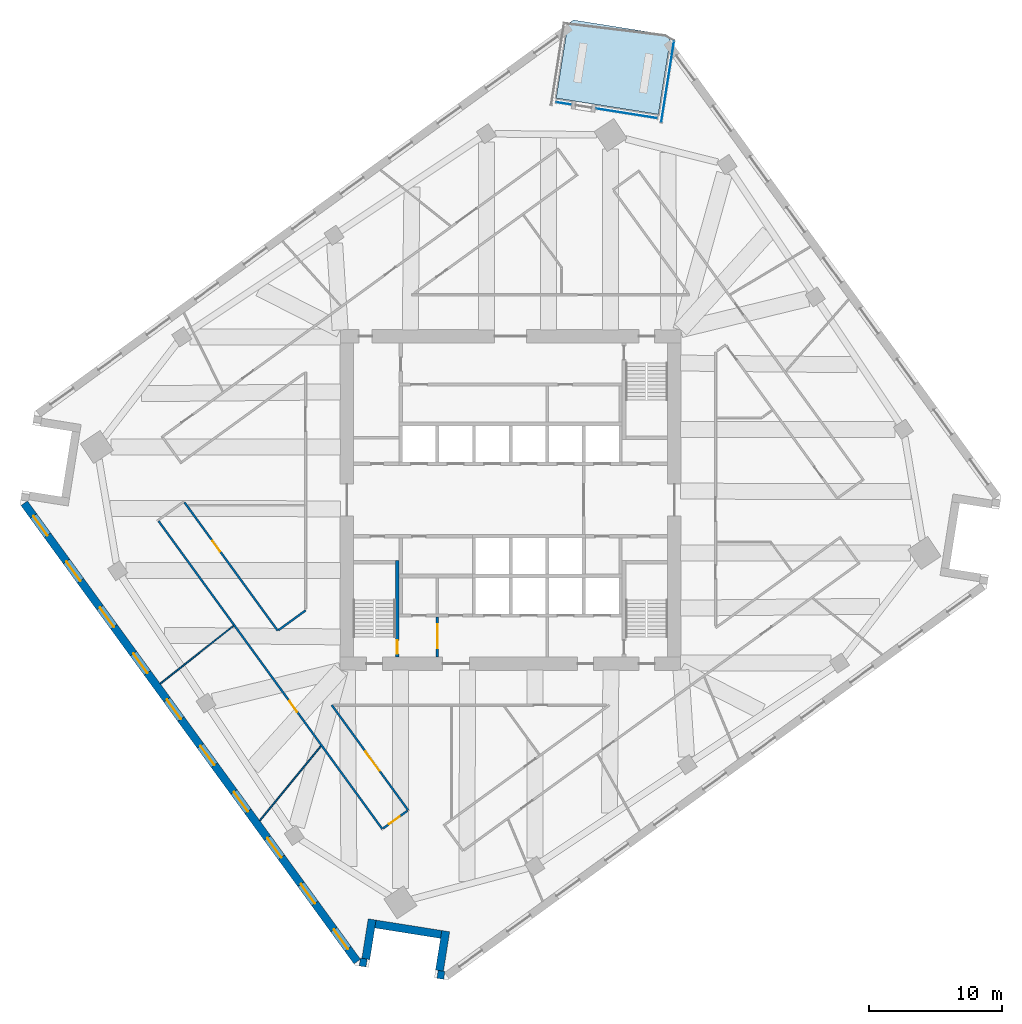
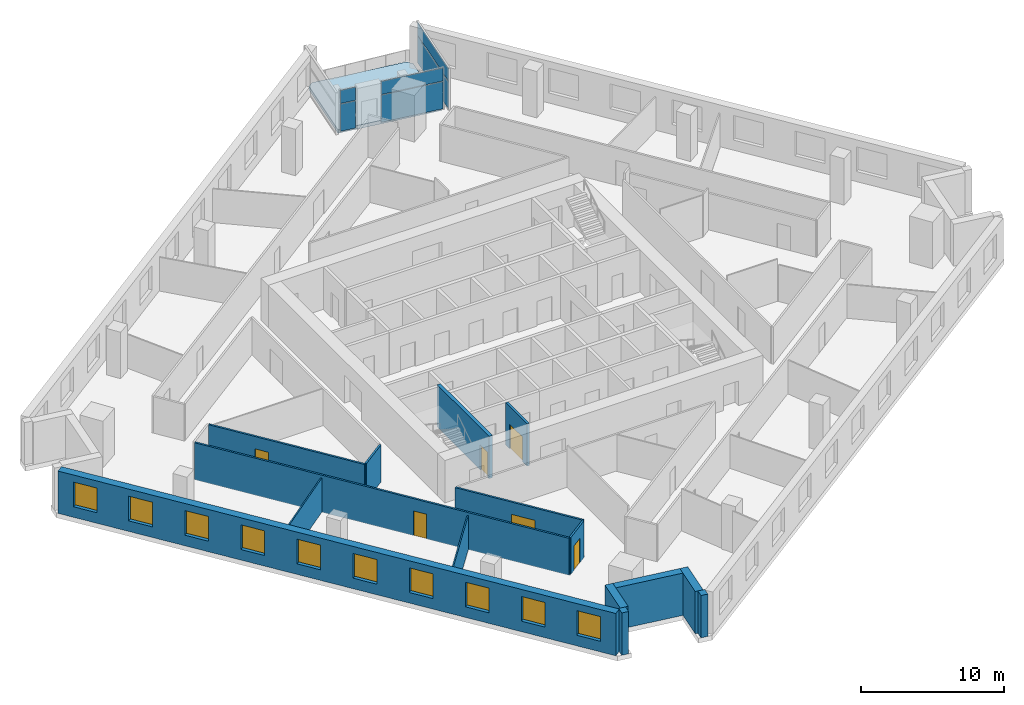
# One storey, part 4 of 11: 15 walls, 10 windows, 6 doors, 6 plates, 1 slab, 16 openings, 3 elements without a shape of their own.
"""IFC4 building model written with IfcOpenShell, lengths in metres."""

from ifc_helpers import new_model, si_unit, direction, frame, frame_2d, origin, origin_2d, place, context, subcontext, project, spatial, polyline, rectangle, outline, extrude, material, layer, layer_set, type_object, element, fill, aggregate, save


model = new_model("IFC4")

# Units and contexts
model_context = context("Model", 3, precision=1e-05, world=origin(), true_north=direction((0.0, 1.0)))
body_context = subcontext(model_context, "Body", "Model", "MODEL_VIEW")
ifc_project = project(units=[si_unit("LENGTHUNIT", "METRE"), si_unit("AREAUNIT", "SQUARE_METRE"), si_unit("VOLUMEUNIT", "CUBIC_METRE"), si_unit("PLANEANGLEUNIT", "RADIAN"), si_unit("MASSUNIT", "GRAM", prefix="KILO")], contexts=[model_context])

# Site, building, storey
site_placement = place(None, origin())
site = spatial("IfcSite", under=ifc_project, at=site_placement, CompositionType="ELEMENT")
building_placement = place(site_placement, origin())
building = spatial("IfcBuilding", under=site, at=building_placement, Name="Dilmun Exchange Tower", CompositionType="ELEMENT")
storey_placement = place(building_placement, frame((0.0, 0.0, 167.699951171875)))
storey = spatial("IfcBuildingStorey", under=building, at=storey_placement, Name="L39", CompositionType="ELEMENT", Elevation=167.699951171875)

# Curtain wall, plates
ifc_material_1 = material(Name="Anodised aluminium and clear glass", Category="aluminium")
curtain_wall_type = type_object("IfcCurtainWallType", Name="Garden corner glazing", PredefinedType="NOTDEFINED", material=ifc_material_1)
curtain_wall_1_placement = place(storey_placement, origin())
curtain_wall_1 = element("IfcCurtainWall", 1, at=curtain_wall_1_placement, inside=storey, type_object=curtain_wall_type, Name="Garden corner glazing run GC1.1", PredefinedType="NOTDEFINED")
ifc_material_2 = material(Name="Clear glass", Category="glass")
ifc_layer_1 = layer(ifc_material_2, 0.028076171875)
ifc_layer_set_1 = layer_set([ifc_layer_1], Name="Clear glass")
plate_type = type_object("IfcPlateType", Name="Garden corner glazing glass panel 28", PredefinedType="CURTAIN_PANEL", material=ifc_layer_set_1)
plate_1_placement = place(storey_placement, frame((11.79345703125, 31.410400390625, 0.06005859375), z_axis=(0.0, 0.0, 1.0), x_axis=(-0.15643936211, -0.987687564963, 0.0)))
plate_1 = element("IfcPlate", 2, at=plate_1_placement, type_object=plate_type, Name="GC1.1 panel 1.1", PredefinedType="CURTAIN_PANEL", context=body_context, shape_type="SweptSolid", body=[
    extrude(rectangle(XDim=6.12646484375, YDim=0.028076171875, at=origin_2d()), origin(), (0.0, 0.0, 1.0), 2.31005859375),
])
plate_2_placement = place(storey_placement, frame((11.79345703125, 31.410400390625, 2.43017578125), z_axis=(0.0, 0.0, 1.0), x_axis=(-0.15643936211, -0.987687564963, 0.0)))
plate_2 = element("IfcPlate", 3, at=plate_2_placement, type_object=plate_type, Name="GC1.1 panel 1.2", PredefinedType="CURTAIN_PANEL", context=body_context, shape_type="SweptSolid", body=[
    extrude(rectangle(XDim=6.12646484375, YDim=0.028076171875, at=origin_2d()), origin(), (0.0, 0.0, 1.0), 1.110107421875),
])
aggregate(curtain_wall_1, [plate_1, plate_2])

curtain_wall_2_placement = place(storey_placement, origin())
curtain_wall_2 = element("IfcCurtainWall", 4, at=curtain_wall_2_placement, inside=storey, type_object=curtain_wall_type, Name="Garden corner glazing run GC2.1", PredefinedType="NOTDEFINED")
plate_3_placement = place(storey_placement, frame((8.715087890625, 29.03955078125, 0.06005859375), z_axis=(0.0, 0.0, 1.0), x_axis=(-0.987690488636, 0.156420902238, 0.0)))
plate_3 = element("IfcPlate", 5, at=plate_3_placement, type_object=plate_type, Name="GC2.1 panel 1.1", PredefinedType="CURTAIN_PANEL", context=body_context, shape_type="SweptSolid", body=[
    extrude(rectangle(XDim=4.619140625, YDim=0.028076171875, at=origin_2d()), origin(), (0.0, 0.0, 1.0), 2.31005859375),
])
plate_4_placement = place(storey_placement, frame((8.715087890625, 29.03955078125, 2.43017578125), z_axis=(0.0, 0.0, 1.0), x_axis=(-0.987690488636, 0.156420902238, 0.0)))
plate_4 = element("IfcPlate", 6, at=plate_4_placement, type_object=plate_type, Name="GC2.1 panel 1.2", PredefinedType="CURTAIN_PANEL", context=body_context, shape_type="SweptSolid", body=[
    extrude(rectangle(XDim=4.619140625, YDim=0.028076171875, at=origin_2d()), origin(), (0.0, 0.0, 1.0), 1.110107421875),
])
aggregate(curtain_wall_2, [plate_3, plate_4])

curtain_wall_3_placement = place(storey_placement, origin())
curtain_wall_3 = element("IfcCurtainWall", 7, at=curtain_wall_3_placement, inside=storey, type_object=curtain_wall_type, Name="Garden corner glazing run GC2.3", PredefinedType="NOTDEFINED")
plate_5_placement = place(storey_placement, frame((3.985107421875, 29.78857421875, 0.06005859375), z_axis=(0.0, 0.0, 1.0), x_axis=(-0.987679719757, 0.156488885164, 0.0)))
plate_5 = element("IfcPlate", 8, at=plate_5_placement, type_object=plate_type, Name="GC2.3 panel 1.1", PredefinedType="CURTAIN_PANEL", context=body_context, shape_type="SweptSolid", body=[
    extrude(rectangle(XDim=1.119140625, YDim=0.028076171875, at=origin_2d()), origin(), (0.0, 0.0, 1.0), 2.31005859375),
])
plate_6_placement = place(storey_placement, frame((3.985107421875, 29.78857421875, 2.43017578125), z_axis=(0.0, 0.0, 1.0), x_axis=(-0.987679719757, 0.156488885164, 0.0)))
plate_6 = element("IfcPlate", 9, at=plate_6_placement, type_object=plate_type, Name="GC2.3 panel 1.2", PredefinedType="CURTAIN_PANEL", context=body_context, shape_type="SweptSolid", body=[
    extrude(rectangle(XDim=1.119140625, YDim=0.028076171875, at=origin_2d()), origin(), (0.0, 0.0, 1.0), 1.110107421875),
])
aggregate(curtain_wall_3, [plate_5, plate_6])

# Slab
ifc_material_3 = material(Name="Concrete C40/50", Category="concrete")
ifc_layer_2 = layer(ifc_material_3, 0.300048828125)
ifc_layer_set_2 = layer_set([ifc_layer_2], Name="Concrete C40/50")
slab_type = type_object("IfcSlabType", Name="RC garden terrace slab 300", PredefinedType="FLOOR", material=ifc_layer_set_2)
slab_placement = place(storey_placement, frame((0.0, 0.0, -0.300048828125)))
element("IfcSlab", 10, at=slab_placement, inside=storey, type_object=slab_type, Name="Garden terrace slab", PredefinedType="FLOOR", context=body_context, shape_type="SweptSolid", body=[
    extrude(outline(polyline([(3.420166015625, 30.181884765625), (4.303466796875, 35.7587890625), (4.7080078125, 36.052734375), (11.69189453125, 34.946533203125), (11.98583984375, 34.5419921875), (11.1025390625, 28.965087890625), (3.420166015625, 30.181884765625)])), origin(), (0.0, 0.0, 1.0), 0.300048828125),
])

# Wall, opening, door
ifc_layer_3 = layer(ifc_material_3, 0.199951171875)
ifc_layer_set_3 = layer_set([ifc_layer_3], Name="Concrete C40/50")
wall_type_1 = type_object("IfcWallType", Name="Core partition wall 200", PredefinedType="PARTITIONING", material=ifc_layer_set_3)
wall_1_placement = place(storey_placement, frame((-5.5, -11.794921875, 0.0), z_axis=(0.0, 0.0, 1.0), x_axis=(0.0, 1.0, 0.0)))
wall_1 = element("IfcWall", 11, at=wall_1_placement, inside=storey, type_object=wall_type_1, Name="L39 core partition wall 01", PredefinedType="PARTITIONING", context=body_context, shape_type="SweptSolid", body=[
    extrude(rectangle(XDim=2.989990234375, YDim=0.199951171875, at=frame_2d((1.4951171875, 0.0))), origin(), (0.0, 0.0, 1.0), 3.60009765625),
])
opening_1_placement = place(wall_1_placement, frame((0.657470703125, 0.0, 0.0)))
opening_1 = element("IfcOpeningElement", 12, at=opening_1_placement, cuts=wall_1, Name="Opening CD5", PredefinedType="OPENING", context=body_context, shape_type="SweptSolid", body=[
    extrude(rectangle(XDim=1.800048828125, YDim=2.10009765625, at=frame_2d((0.89990234375, 1.050048828125))), frame((0.0, 0.10986328125, 0.0), z_axis=(0.0, -1.0, 0.0), x_axis=(1.0, 0.0, 0.0)), (0.0, 0.0, 1.0), 0.219970703125),
])
ifc_material_4 = material(Name="Fire-rated steel door set", Category="steel")
door_type_1 = type_object("IfcDoorType", Name="Stair exit door 1800x2100", OperationType="SINGLE_SWING_LEFT", PredefinedType="DOOR", material=ifc_material_4)
door_1_placement = place(opening_1_placement, origin())
door_1 = element("IfcDoor", 13, at=door_1_placement, inside=storey, type_object=door_type_1, Name="L39 door Service lobby east", OperationType="SINGLE_SWING_LEFT", OverallHeight=2.10009765625, OverallWidth=1.800048828125, PredefinedType="DOOR", context=body_context, shape_type="SweptSolid", body=[
    extrude(rectangle(XDim=1.800048828125, YDim=2.10009765625, at=frame_2d((0.89990234375, 1.050048828125))), frame((0.0, 0.02490234375, 0.0), z_axis=(0.0, -1.0, 0.0), x_axis=(1.0, 0.0, 0.0)), (0.0, 0.0, 1.0), 0.050048828125),
])
fill(opening_1, door_1)

ifc_material_5 = material(Name="Corridor wall 150")
ifc_layer_4 = layer(ifc_material_5, 0.14990234375)
ifc_layer_set_4 = layer_set([ifc_layer_4], Name="Corridor wall 150")
wall_type_2 = type_object("IfcWallType", Name="Corridor wall 150", PredefinedType="PARTITIONING", material=ifc_layer_set_4)
wall_2_placement = place(storey_placement, frame((-26.43701171875, -1.588623046875, 0.0), z_axis=(0.0, 0.0, 1.0), x_axis=(0.587768879666, -0.809028889531, 0.0)))
wall_2 = element("IfcWall", 14, at=wall_2_placement, inside=storey, type_object=wall_type_2, Name="Corridor wall", PredefinedType="PARTITIONING", context=body_context, shape_type="SweptSolid", body=[
    extrude(rectangle(XDim=28.582763671875, YDim=0.14990234375, at=frame_2d((14.29150390625, 0.0))), origin(), (0.0, 0.0, 1.0), 3.150146484375),
])
opening_2_placement = place(wall_2_placement, frame((16.7109375, 0.0, 0.0)))
opening_2 = element("IfcOpeningElement", 15, at=opening_2_placement, cuts=wall_2, Name="Opening TF38-D03", PredefinedType="OPENING", context=body_context, shape_type="SweptSolid", body=[
    extrude(rectangle(XDim=1.0, YDim=2.10009765625, at=frame_2d((0.5, 1.050048828125))), frame((0.0, 0.0849609375, 0.0), z_axis=(0.0, -1.0, 0.0), x_axis=(1.0, 0.0, 0.0)), (0.0, 0.0, 1.0), 0.169921875),
])
ifc_material_6 = material(Name="Fire door 1000 x 2100")
door_type_2 = type_object("IfcDoorType", Name="Fire door 1000 x 2100", OperationType="NOTDEFINED", PredefinedType="DOOR", material=ifc_material_6)
door_2_placement = place(opening_2_placement, frame((1.0, 0.0, 0.0), z_axis=(0.0, 0.0, 1.0), x_axis=(-1.0, 0.0, 0.0)))
door_2 = element("IfcDoor", 16, at=door_2_placement, inside=storey, type_object=door_type_2, Name="Door TF38-D03", OperationType="SINGLE_SWING_LEFT", OverallHeight=2.10009765625, OverallWidth=1.0, PredefinedType="DOOR", context=body_context, shape_type="SweptSolid", body=[
    extrude(rectangle(XDim=1.0, YDim=2.10009765625, at=frame_2d((0.5, 1.050048828125))), frame((0.0, 0.02490234375, 0.0), z_axis=(0.0, -1.0, 0.0), x_axis=(1.0, 0.0, 0.0)), (0.0, 0.0, 1.0), 0.050048828125),
])
fill(opening_2, door_2)

wall_3_placement = place(storey_placement, frame((-24.494873046875, -0.1787109375, 0.0), z_axis=(0.0, 0.0, 1.0), x_axis=(0.587806096184, -0.809001849991, 0.0)))
wall_3 = element("IfcWall", 17, at=wall_3_placement, inside=storey, type_object=wall_type_2, Name="Corridor wall", PredefinedType="PARTITIONING", context=body_context, shape_type="SweptSolid", body=[
    extrude(rectangle(XDim=11.91357421875, YDim=0.14990234375, at=frame_2d((5.956787109375, 0.0))), origin(), (0.0, 0.0, 1.0), 3.150146484375),
])
opening_3_placement = place(wall_3_placement, frame((3.567626953125, 0.0, 0.0)))
opening_3 = element("IfcOpeningElement", 18, at=opening_3_placement, cuts=wall_3, Name="Opening TF38-D05", PredefinedType="OPENING", context=body_context, shape_type="SweptSolid", body=[
    extrude(rectangle(XDim=1.0, YDim=2.10009765625, at=frame_2d((0.5, 1.050048828125))), frame((0.0, 0.0849609375, 0.0), z_axis=(0.0, -1.0, 0.0), x_axis=(1.0, 0.0, 0.0)), (0.0, 0.0, 1.0), 0.169921875),
])
door_3_placement = place(opening_3_placement, origin())
door_3 = element("IfcDoor", 19, at=door_3_placement, inside=storey, type_object=door_type_2, Name="Door TF38-D05", OperationType="SINGLE_SWING_RIGHT", OverallHeight=2.10009765625, OverallWidth=1.0, PredefinedType="DOOR", context=body_context, shape_type="SweptSolid", body=[
    extrude(rectangle(XDim=1.0, YDim=2.10009765625, at=frame_2d((0.5, 1.050048828125))), frame((0.0, 0.02490234375, 0.0), z_axis=(0.0, -1.0, 0.0), x_axis=(1.0, 0.0, 0.0)), (0.0, 0.0, 1.0), 0.050048828125),
])
fill(opening_3, door_3)

# Wall
wall_4_placement = place(storey_placement, frame((-17.431396484375, -9.77294921875, 0.0), z_axis=(0.0, 0.0, 1.0), x_axis=(0.809042902641, 0.587749590971, 0.0)))
element("IfcWall", 20, at=wall_4_placement, inside=storey, type_object=wall_type_2, Name="Corridor wall", PredefinedType="PARTITIONING", context=body_context, shape_type="SweptSolid", body=[
    extrude(rectangle(XDim=2.510986328125, YDim=0.14990234375, at=frame_2d((1.25537109375, 0.0))), origin(), (0.0, 0.0, 1.0), 3.150146484375),
])

# Wall, opening, door
wall_5_placement = place(storey_placement, frame((-13.43603515625, -15.39990234375, 0.0), z_axis=(0.0, 0.0, 1.0), x_axis=(0.58776885963, -0.809028904088, 0.0)))
wall_5 = element("IfcWall", 21, at=wall_5_placement, inside=storey, type_object=wall_type_2, Name="Corridor wall", PredefinedType="PARTITIONING", context=body_context, shape_type="SweptSolid", body=[
    extrude(rectangle(XDim=9.767333984375, YDim=0.14990234375, at=frame_2d((4.8837890625, 0.0))), origin(), (0.0, 0.0, 1.0), 3.150146484375),
])
opening_4_placement = place(wall_5_placement, frame((4.300048828125, 0.0, 0.0)))
opening_4 = element("IfcOpeningElement", 22, at=opening_4_placement, cuts=wall_5, Name="Opening TF38-D07", PredefinedType="OPENING", context=body_context, shape_type="SweptSolid", body=[
    extrude(rectangle(XDim=1.800048828125, YDim=2.10009765625, at=frame_2d((0.89990234375, 1.050048828125))), frame((0.0, 0.0849609375, 0.0), z_axis=(0.0, -1.0, 0.0), x_axis=(1.0, 0.0, 0.0)), (0.0, 0.0, 1.0), 0.169921875),
])
ifc_material_7 = material(Name="Fire door pair 1800 x 2100")
door_type_3 = type_object("IfcDoorType", Name="Fire door pair 1800 x 2100", OperationType="NOTDEFINED", PredefinedType="DOOR", material=ifc_material_7)
door_4_placement = place(opening_4_placement, origin())
door_4 = element("IfcDoor", 23, at=door_4_placement, inside=storey, type_object=door_type_3, Name="Door TF38-D07", OperationType="DOUBLE_DOOR_SINGLE_SWING", OverallHeight=2.10009765625, OverallWidth=1.800048828125, PredefinedType="DOOR", context=body_context, shape_type="SweptSolid", body=[
    extrude(rectangle(XDim=1.800048828125, YDim=2.10009765625, at=frame_2d((0.89990234375, 1.050048828125))), frame((0.0, 0.02490234375, 0.0), z_axis=(0.0, -1.0, 0.0), x_axis=(1.0, 0.0, 0.0)), (0.0, 0.0, 1.0), 0.050048828125),
])
fill(opening_4, door_4)

wall_6_placement = place(storey_placement, frame((-9.576416015625, -24.6689453125, 0.0), z_axis=(0.0, 0.0, 1.0), x_axis=(0.809045580708, 0.587745904569, 0.0)))
wall_6 = element("IfcWall", 24, at=wall_6_placement, inside=storey, type_object=wall_type_2, Name="Corridor wall", PredefinedType="PARTITIONING", context=body_context, shape_type="SweptSolid", body=[
    extrude(rectangle(XDim=2.25048828125, YDim=0.14990234375, at=frame_2d((1.125244140625, 0.0))), origin(), (0.0, 0.0, 1.0), 3.150146484375),
])
opening_5_placement = place(wall_6_placement, frame((0.550048828125, 0.0, 0.0)))
opening_5 = element("IfcOpeningElement", 25, at=opening_5_placement, cuts=wall_6, Name="Opening TF38-D08", PredefinedType="OPENING", context=body_context, shape_type="SweptSolid", body=[
    extrude(rectangle(XDim=1.0, YDim=2.10009765625, at=frame_2d((0.5, 1.050048828125))), frame((0.0, 0.0849609375, 0.0), z_axis=(0.0, -1.0, 0.0), x_axis=(1.0, 0.0, 0.0)), (0.0, 0.0, 1.0), 0.169921875),
])
door_5_placement = place(opening_5_placement, frame((1.0, 0.0, 0.0), z_axis=(0.0, 0.0, 1.0), x_axis=(-1.0, 0.0, 0.0)))
door_5 = element("IfcDoor", 26, at=door_5_placement, inside=storey, type_object=door_type_2, Name="Door TF38-D08", OperationType="SINGLE_SWING_LEFT", OverallHeight=2.10009765625, OverallWidth=1.0, PredefinedType="DOOR", context=body_context, shape_type="SweptSolid", body=[
    extrude(rectangle(XDim=1.0, YDim=2.10009765625, at=frame_2d((0.5, 1.050048828125))), frame((0.0, 0.02490234375, 0.0), z_axis=(0.0, -1.0, 0.0), x_axis=(1.0, 0.0, 0.0)), (0.0, 0.0, 1.0), 0.050048828125),
])
fill(opening_5, door_5)

# Walls
ifc_material_8 = material(Name="Partition 100")
ifc_layer_5 = layer(ifc_material_8, 0.10009765625)
ifc_layer_set_5 = layer_set([ifc_layer_5], Name="Partition 100")
wall_type_3 = type_object("IfcWallType", Name="Partition 100", PredefinedType="PARTITIONING", material=ifc_layer_set_5)
wall_7_placement = place(storey_placement, frame((-26.3134765625, -13.79736328125, 0.0), z_axis=(0.0, 0.0, 1.0), x_axis=(0.784436491328, 0.620209151072, 0.0)))
element("IfcWall", 27, at=wall_7_placement, inside=storey, type_object=wall_type_3, Name="Partition", PredefinedType="PARTITIONING", context=body_context, shape_type="SweptSolid", body=[
    extrude(rectangle(XDim=7.0048828125, YDim=0.10009765625, at=frame_2d((3.50244140625, 0.0))), origin(), (0.0, 0.0, 1.0), 2.900146484375),
])
wall_8_placement = place(storey_placement, frame((-18.84228515625, -24.080810546875, 0.0), z_axis=(0.0, 0.0, 1.0), x_axis=(0.634911726152, 0.772584687911, 0.0)))
element("IfcWall", 28, at=wall_8_placement, inside=storey, type_object=wall_type_3, Name="Partition", PredefinedType="PARTITIONING", context=body_context, shape_type="SweptSolid", body=[
    extrude(rectangle(XDim=7.220947265625, YDim=0.10009765625, at=frame_2d((3.6103515625, 0.0))), origin(), (0.0, 0.0, 1.0), 2.900146484375),
])

# Wall, openings, windows
ifc_material_9 = material(Name="Precast concrete C50/60", Category="concrete")
ifc_layer_6 = layer(ifc_material_9, 0.60009765625)
ifc_layer_set_6 = layer_set([ifc_layer_6], Name="Precast concrete C50/60")
wall_type_4 = type_object("IfcWallType", Name="Precast stone-clad wall 600", PredefinedType="STANDARD", material=ifc_layer_set_6)
wall_9_placement = place(storey_placement, frame((-36.533447265625, -0.244873046875, 0.0), z_axis=(0.0, 0.0, 1.0), x_axis=(0.587787495615, -0.809015364501, 0.0)))
wall_9 = element("IfcWall", 29, at=wall_9_placement, inside=storey, type_object=wall_type_4, Name="Facade wall L39-09", PredefinedType="STANDARD", context=body_context, shape_type="SweptSolid", body=[
    extrude(rectangle(XDim=42.551513671875, YDim=0.60009765625, at=frame_2d((21.27587890625, 0.0))), origin(), (0.0, 0.0, 1.0), 3.60009765625),
])
opening_6_placement = place(wall_9_placement, frame((1.177978515625, 0.0, 0.89990234375)))
opening_6 = element("IfcOpeningElement", 30, at=opening_6_placement, cuts=wall_9, Name="Opening W180-210", PredefinedType="OPENING", context=body_context, shape_type="SweptSolid", body=[
    extrude(rectangle(XDim=1.800048828125, YDim=2.10009765625, at=frame_2d((0.89990234375, 1.050048828125))), frame((0.0, 0.31005859375, 0.0), z_axis=(0.0, -1.0, 0.0), x_axis=(1.0, 0.0, 0.0)), (0.0, 0.0, 1.0), 0.6201171875),
])
opening_7_placement = place(wall_9_placement, frame((5.395751953125, 0.0, 0.89990234375)))
opening_7 = element("IfcOpeningElement", 31, at=opening_7_placement, cuts=wall_9, Name="Opening W180-210", PredefinedType="OPENING", context=body_context, shape_type="SweptSolid", body=[
    extrude(rectangle(XDim=1.800048828125, YDim=2.10009765625, at=frame_2d((0.89990234375, 1.050048828125))), frame((0.0, 0.31005859375, 0.0), z_axis=(0.0, -1.0, 0.0), x_axis=(1.0, 0.0, 0.0)), (0.0, 0.0, 1.0), 0.6201171875),
])
opening_8_placement = place(wall_9_placement, frame((9.67578125, 0.0, 0.89990234375)))
opening_8 = element("IfcOpeningElement", 32, at=opening_8_placement, cuts=wall_9, Name="Opening W180-210", PredefinedType="OPENING", context=body_context, shape_type="SweptSolid", body=[
    extrude(rectangle(XDim=1.800048828125, YDim=2.10009765625, at=frame_2d((0.89990234375, 1.050048828125))), frame((0.0, 0.31005859375, 0.0), z_axis=(0.0, -1.0, 0.0), x_axis=(1.0, 0.0, 0.0)), (0.0, 0.0, 1.0), 0.6201171875),
])
opening_9_placement = place(wall_9_placement, frame((13.955810546875, 0.0, 0.89990234375)))
opening_9 = element("IfcOpeningElement", 33, at=opening_9_placement, cuts=wall_9, Name="Opening W180-210", PredefinedType="OPENING", context=body_context, shape_type="SweptSolid", body=[
    extrude(rectangle(XDim=1.800048828125, YDim=2.10009765625, at=frame_2d((0.89990234375, 1.050048828125))), frame((0.0, 0.31005859375, 0.0), z_axis=(0.0, -1.0, 0.0), x_axis=(1.0, 0.0, 0.0)), (0.0, 0.0, 1.0), 0.6201171875),
])
opening_10_placement = place(wall_9_placement, frame((18.235595703125, 0.0, 0.89990234375)))
opening_10 = element("IfcOpeningElement", 34, at=opening_10_placement, cuts=wall_9, Name="Opening W180-210", PredefinedType="OPENING", context=body_context, shape_type="SweptSolid", body=[
    extrude(rectangle(XDim=1.800048828125, YDim=2.10009765625, at=frame_2d((0.89990234375, 1.050048828125))), frame((0.0, 0.31005859375, 0.0), z_axis=(0.0, -1.0, 0.0), x_axis=(1.0, 0.0, 0.0)), (0.0, 0.0, 1.0), 0.6201171875),
])
opening_11_placement = place(wall_9_placement, frame((22.515625, 0.0, 0.89990234375)))
opening_11 = element("IfcOpeningElement", 35, at=opening_11_placement, cuts=wall_9, Name="Opening W180-210", PredefinedType="OPENING", context=body_context, shape_type="SweptSolid", body=[
    extrude(rectangle(XDim=1.800048828125, YDim=2.10009765625, at=frame_2d((0.89990234375, 1.050048828125))), frame((0.0, 0.31005859375, 0.0), z_axis=(0.0, -1.0, 0.0), x_axis=(1.0, 0.0, 0.0)), (0.0, 0.0, 1.0), 0.6201171875),
])
opening_12_placement = place(wall_9_placement, frame((26.795654296875, 0.0, 0.89990234375)))
opening_12 = element("IfcOpeningElement", 36, at=opening_12_placement, cuts=wall_9, Name="Opening W180-210", PredefinedType="OPENING", context=body_context, shape_type="SweptSolid", body=[
    extrude(rectangle(XDim=1.800048828125, YDim=2.10009765625, at=frame_2d((0.89990234375, 1.050048828125))), frame((0.0, 0.31005859375, 0.0), z_axis=(0.0, -1.0, 0.0), x_axis=(1.0, 0.0, 0.0)), (0.0, 0.0, 1.0), 0.6201171875),
])
opening_13_placement = place(wall_9_placement, frame((31.07568359375, 0.0, 0.89990234375)))
opening_13 = element("IfcOpeningElement", 37, at=opening_13_placement, cuts=wall_9, Name="Opening W180-210", PredefinedType="OPENING", context=body_context, shape_type="SweptSolid", body=[
    extrude(rectangle(XDim=1.800048828125, YDim=2.10009765625, at=frame_2d((0.89990234375, 1.050048828125))), frame((0.0, 0.31005859375, 0.0), z_axis=(0.0, -1.0, 0.0), x_axis=(1.0, 0.0, 0.0)), (0.0, 0.0, 1.0), 0.6201171875),
])
opening_14_placement = place(wall_9_placement, frame((35.355712890625, 0.0, 0.89990234375)))
opening_14 = element("IfcOpeningElement", 38, at=opening_14_placement, cuts=wall_9, Name="Opening W180-210", PredefinedType="OPENING", context=body_context, shape_type="SweptSolid", body=[
    extrude(rectangle(XDim=1.800048828125, YDim=2.10009765625, at=frame_2d((0.89990234375, 1.050048828125))), frame((0.0, 0.31005859375, 0.0), z_axis=(0.0, -1.0, 0.0), x_axis=(1.0, 0.0, 0.0)), (0.0, 0.0, 1.0), 0.6201171875),
])
opening_15_placement = place(wall_9_placement, frame((39.573486328125, 0.0, 0.89990234375)))
opening_15 = element("IfcOpeningElement", 39, at=opening_15_placement, cuts=wall_9, Name="Opening W180-210", PredefinedType="OPENING", context=body_context, shape_type="SweptSolid", body=[
    extrude(rectangle(XDim=1.800048828125, YDim=2.10009765625, at=frame_2d((0.89990234375, 1.050048828125))), frame((0.0, 0.31005859375, 0.0), z_axis=(0.0, -1.0, 0.0), x_axis=(1.0, 0.0, 0.0)), (0.0, 0.0, 1.0), 0.6201171875),
])
ifc_material_10 = material(Name="Clear low-emissivity glass in aluminium frame", Category="aluminium")
window_type = type_object("IfcWindowType", Name="Punched window 1800 x 2100", PartitioningType="DOUBLE_PANEL_VERTICAL", PredefinedType="WINDOW", material=ifc_material_10)
window_1_placement = place(opening_6_placement, origin())
window_1 = element("IfcWindow", 40, at=window_1_placement, inside=storey, type_object=window_type, Name="Window 10.1", OverallHeight=2.10009765625, OverallWidth=1.800048828125, PartitioningType="SINGLE_PANEL", PredefinedType="WINDOW", context=body_context, shape_type="SweptSolid", body=[
    extrude(rectangle(XDim=1.800048828125, YDim=2.10009765625, at=frame_2d((0.89990234375, 1.050048828125))), frame((0.0, 0.030029296875, 0.0), z_axis=(0.0, -1.0, 0.0), x_axis=(1.0, 0.0, 0.0)), (0.0, 0.0, 1.0), 0.06005859375),
])
fill(opening_6, window_1)
window_2_placement = place(opening_7_placement, origin())
window_2 = element("IfcWindow", 41, at=window_2_placement, inside=storey, type_object=window_type, Name="Window 10.2", OverallHeight=2.10009765625, OverallWidth=1.800048828125, PartitioningType="SINGLE_PANEL", PredefinedType="WINDOW", context=body_context, shape_type="SweptSolid", body=[
    extrude(rectangle(XDim=1.800048828125, YDim=2.10009765625, at=frame_2d((0.89990234375, 1.050048828125))), frame((0.0, 0.030029296875, 0.0), z_axis=(0.0, -1.0, 0.0), x_axis=(1.0, 0.0, 0.0)), (0.0, 0.0, 1.0), 0.06005859375),
])
fill(opening_7, window_2)
window_3_placement = place(opening_8_placement, origin())
window_3 = element("IfcWindow", 42, at=window_3_placement, inside=storey, type_object=window_type, Name="Window 10.3", OverallHeight=2.10009765625, OverallWidth=1.800048828125, PartitioningType="SINGLE_PANEL", PredefinedType="WINDOW", context=body_context, shape_type="SweptSolid", body=[
    extrude(rectangle(XDim=1.800048828125, YDim=2.10009765625, at=frame_2d((0.89990234375, 1.050048828125))), frame((0.0, 0.030029296875, 0.0), z_axis=(0.0, -1.0, 0.0), x_axis=(1.0, 0.0, 0.0)), (0.0, 0.0, 1.0), 0.06005859375),
])
fill(opening_8, window_3)
window_4_placement = place(opening_9_placement, origin())
window_4 = element("IfcWindow", 43, at=window_4_placement, inside=storey, type_object=window_type, Name="Window 10.4", OverallHeight=2.10009765625, OverallWidth=1.800048828125, PartitioningType="SINGLE_PANEL", PredefinedType="WINDOW", context=body_context, shape_type="SweptSolid", body=[
    extrude(rectangle(XDim=1.800048828125, YDim=2.10009765625, at=frame_2d((0.89990234375, 1.050048828125))), frame((0.0, 0.030029296875, 0.0), z_axis=(0.0, -1.0, 0.0), x_axis=(1.0, 0.0, 0.0)), (0.0, 0.0, 1.0), 0.06005859375),
])
fill(opening_9, window_4)
window_5_placement = place(opening_10_placement, origin())
window_5 = element("IfcWindow", 44, at=window_5_placement, inside=storey, type_object=window_type, Name="Window 10.5", OverallHeight=2.10009765625, OverallWidth=1.800048828125, PartitioningType="SINGLE_PANEL", PredefinedType="WINDOW", context=body_context, shape_type="SweptSolid", body=[
    extrude(rectangle(XDim=1.800048828125, YDim=2.10009765625, at=frame_2d((0.89990234375, 1.050048828125))), frame((0.0, 0.030029296875, 0.0), z_axis=(0.0, -1.0, 0.0), x_axis=(1.0, 0.0, 0.0)), (0.0, 0.0, 1.0), 0.06005859375),
])
fill(opening_10, window_5)
window_6_placement = place(opening_11_placement, origin())
window_6 = element("IfcWindow", 45, at=window_6_placement, inside=storey, type_object=window_type, Name="Window 10.6", OverallHeight=2.10009765625, OverallWidth=1.800048828125, PartitioningType="SINGLE_PANEL", PredefinedType="WINDOW", context=body_context, shape_type="SweptSolid", body=[
    extrude(rectangle(XDim=1.800048828125, YDim=2.10009765625, at=frame_2d((0.89990234375, 1.050048828125))), frame((0.0, 0.030029296875, 0.0), z_axis=(0.0, -1.0, 0.0), x_axis=(1.0, 0.0, 0.0)), (0.0, 0.0, 1.0), 0.06005859375),
])
fill(opening_11, window_6)
window_7_placement = place(opening_12_placement, origin())
window_7 = element("IfcWindow", 46, at=window_7_placement, inside=storey, type_object=window_type, Name="Window 10.7", OverallHeight=2.10009765625, OverallWidth=1.800048828125, PartitioningType="SINGLE_PANEL", PredefinedType="WINDOW", context=body_context, shape_type="SweptSolid", body=[
    extrude(rectangle(XDim=1.800048828125, YDim=2.10009765625, at=frame_2d((0.89990234375, 1.050048828125))), frame((0.0, 0.030029296875, 0.0), z_axis=(0.0, -1.0, 0.0), x_axis=(1.0, 0.0, 0.0)), (0.0, 0.0, 1.0), 0.06005859375),
])
fill(opening_12, window_7)
window_8_placement = place(opening_13_placement, origin())
window_8 = element("IfcWindow", 47, at=window_8_placement, inside=storey, type_object=window_type, Name="Window 10.8", OverallHeight=2.10009765625, OverallWidth=1.800048828125, PartitioningType="SINGLE_PANEL", PredefinedType="WINDOW", context=body_context, shape_type="SweptSolid", body=[
    extrude(rectangle(XDim=1.800048828125, YDim=2.10009765625, at=frame_2d((0.89990234375, 1.050048828125))), frame((0.0, 0.030029296875, 0.0), z_axis=(0.0, -1.0, 0.0), x_axis=(1.0, 0.0, 0.0)), (0.0, 0.0, 1.0), 0.06005859375),
])
fill(opening_13, window_8)
window_9_placement = place(opening_14_placement, origin())
window_9 = element("IfcWindow", 48, at=window_9_placement, inside=storey, type_object=window_type, Name="Window 10.9", OverallHeight=2.10009765625, OverallWidth=1.800048828125, PartitioningType="SINGLE_PANEL", PredefinedType="WINDOW", context=body_context, shape_type="SweptSolid", body=[
    extrude(rectangle(XDim=1.800048828125, YDim=2.10009765625, at=frame_2d((0.89990234375, 1.050048828125))), frame((0.0, 0.030029296875, 0.0), z_axis=(0.0, -1.0, 0.0), x_axis=(1.0, 0.0, 0.0)), (0.0, 0.0, 1.0), 0.06005859375),
])
fill(opening_14, window_9)
window_10_placement = place(opening_15_placement, origin())
window_10 = element("IfcWindow", 49, at=window_10_placement, inside=storey, type_object=window_type, Name="Window 10.10", OverallHeight=2.10009765625, OverallWidth=1.800048828125, PartitioningType="SINGLE_PANEL", PredefinedType="WINDOW", context=body_context, shape_type="SweptSolid", body=[
    extrude(rectangle(XDim=1.800048828125, YDim=2.10009765625, at=frame_2d((0.89990234375, 1.050048828125))), frame((0.0, 0.030029296875, 0.0), z_axis=(0.0, -1.0, 0.0), x_axis=(1.0, 0.0, 0.0)), (0.0, 0.0, 1.0), 0.06005859375),
])
fill(opening_15, window_10)

# Walls
wall_10_placement = place(storey_placement, frame((-11.32470703125, -34.700927734375, 0.0), z_axis=(0.0, 0.0, 1.0), x_axis=(0.987666012258, -0.156575375554, 0.0)))
element("IfcWall", 50, at=wall_10_placement, inside=storey, type_object=wall_type_4, Name="Facade wall L39-10", PredefinedType="STANDARD", context=body_context, shape_type="SweptSolid", body=[
    extrude(rectangle(XDim=0.511474609375, YDim=0.60009765625, at=frame_2d((0.255859375, 0.0))), origin(), (0.0, 0.0, 1.0), 3.60009765625),
])
wall_11_placement = place(storey_placement, frame((-10.87158203125, -34.468994140625, 0.0), z_axis=(0.0, 0.0, 1.0), x_axis=(0.156409699997, 0.987692262674, 0.0)))
element("IfcWall", 51, at=wall_11_placement, inside=storey, type_object=wall_type_4, Name="Facade wall L39-11", PredefinedType="STANDARD", context=body_context, shape_type="SweptSolid", body=[
    extrude(rectangle(XDim=3.0, YDim=0.60009765625, at=frame_2d((1.5, 0.0))), origin(), (0.0, 0.0, 1.0), 3.60009765625),
])
wall_12_placement = place(storey_placement, frame((-10.15283203125, -31.84912109375, 0.0), z_axis=(0.0, 0.0, 1.0), x_axis=(0.987686835152, -0.156443969736, 0.0)))
element("IfcWall", 52, at=wall_12_placement, inside=storey, type_object=wall_type_4, Name="Facade wall L39-12", PredefinedType="STANDARD", context=body_context, shape_type="SweptSolid", body=[
    extrude(rectangle(XDim=5.0, YDim=0.60009765625, at=frame_2d((2.5, 0.0))), origin(), (0.0, 0.0, 1.0), 3.60009765625),
])
wall_13_placement = place(storey_placement, frame((-4.87109375, -32.3818359375, 0.0), z_axis=(0.0, 0.0, 1.0), x_axis=(-0.156489086251, -0.987679687897, 0.0)))
element("IfcWall", 53, at=wall_13_placement, inside=storey, type_object=wall_type_4, Name="Facade wall L39-13", PredefinedType="STANDARD", context=body_context, shape_type="SweptSolid", body=[
    extrude(rectangle(XDim=3.0, YDim=0.60009765625, at=frame_2d((1.5, 0.0))), origin(), (0.0, 0.0, 1.0), 3.60009765625),
])
wall_14_placement = place(storey_placement, frame((-5.486083984375, -35.625732421875, 0.0), z_axis=(0.0, 0.0, 1.0), x_axis=(0.987728086963, -0.156183309689, 0.0)))
element("IfcWall", 54, at=wall_14_placement, inside=storey, type_object=wall_type_4, Name="Facade wall L39-14", PredefinedType="STANDARD", context=body_context, shape_type="SweptSolid", body=[
    extrude(rectangle(XDim=0.51123046875, YDim=0.60009765625, at=frame_2d((0.255615234375, 0.0))), origin(), (0.0, 0.0, 1.0), 3.60009765625),
])

# Wall, opening, door
ifc_layer_7 = layer(ifc_material_3, 0.27490234375)
ifc_layer_set_7 = layer_set([ifc_layer_7], Name="Concrete C40/50")
wall_type_5 = type_object("IfcWallType", Name="Stair wall 275", PredefinedType="SOLIDWALL", material=ifc_layer_set_7)
wall_15_placement = place(storey_placement, frame((-8.512451171875, -4.550048828125, 0.0), z_axis=(0.0, 0.0, 1.0), x_axis=(0.0, -1.0, 0.0)))
wall_15 = element("IfcWall", 55, at=wall_15_placement, inside=storey, type_object=wall_type_5, Name="L39 ST2 wall to lift block", PredefinedType="SOLIDWALL", context=body_context, shape_type="SweptSolid", body=[
    extrude(rectangle(XDim=7.25, YDim=0.27490234375, at=frame_2d((3.625, 0.0))), origin(), (0.0, 0.0, 1.0), 3.60009765625),
])
opening_16_placement = place(wall_15_placement, frame((6.0, 0.0, 0.0)))
opening_16 = element("IfcOpeningElement", 56, at=opening_16_placement, cuts=wall_15, Name="Opening CD4", PredefinedType="OPENING", context=body_context, shape_type="SweptSolid", body=[
    extrude(rectangle(XDim=1.0, YDim=2.10009765625, at=frame_2d((0.5, 1.050048828125))), frame((0.0, 0.1474609375, 0.0), z_axis=(0.0, -1.0, 0.0), x_axis=(1.0, 0.0, 0.0)), (0.0, 0.0, 1.0), 0.294921875),
])
door_type_4 = type_object("IfcDoorType", Name="Core room door 1000x2100", OperationType="SINGLE_SWING_LEFT", PredefinedType="DOOR", material=ifc_material_4)
door_6_placement = place(opening_16_placement, origin())
door_6 = element("IfcDoor", 57, at=door_6_placement, inside=storey, type_object=door_type_4, Name="L39 door ST2 from lobby", OperationType="SINGLE_SWING_LEFT", OverallHeight=2.10009765625, OverallWidth=1.0, PredefinedType="DOOR", context=body_context, shape_type="SweptSolid", body=[
    extrude(rectangle(XDim=1.0, YDim=2.10009765625, at=frame_2d((0.5, 1.050048828125))), frame((0.0, 0.02490234375, 0.0), z_axis=(0.0, -1.0, 0.0), x_axis=(1.0, 0.0, 0.0)), (0.0, 0.0, 1.0), 0.050048828125),
])
fill(opening_16, door_6)

save(model, "model.ifc")
